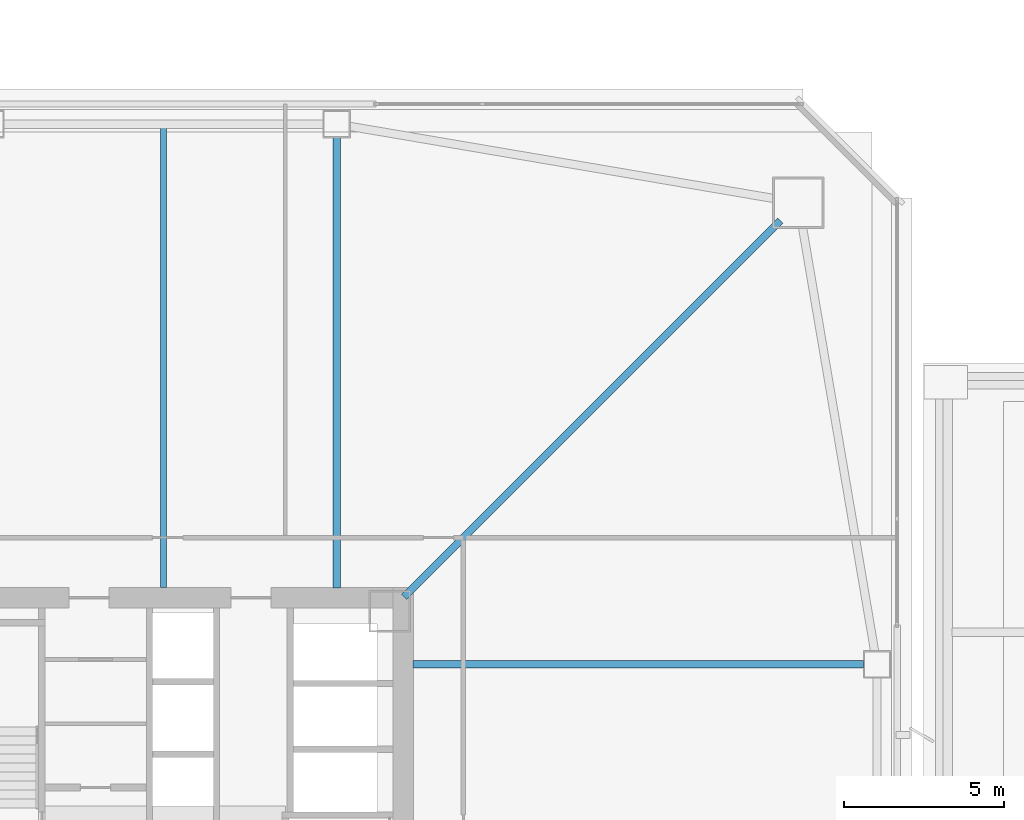
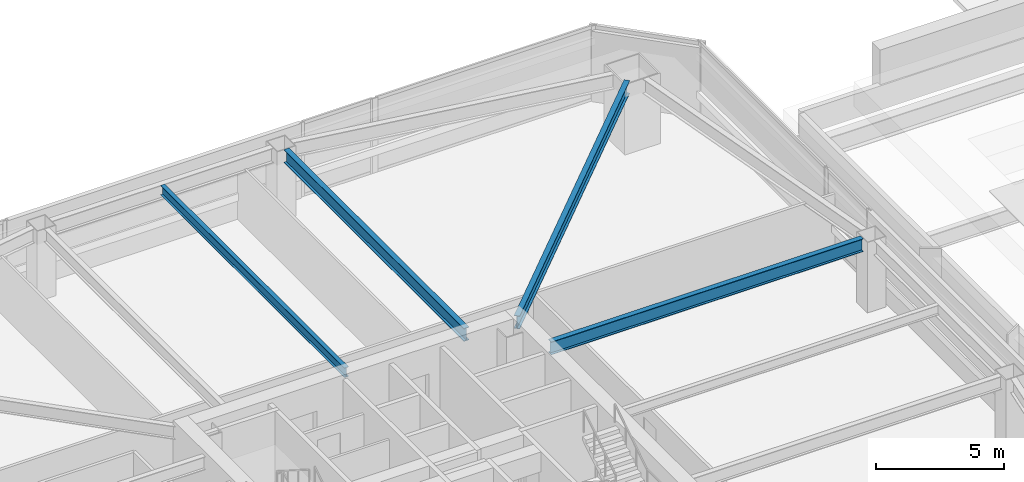
# One storey, part 16 of 62: 4 beams.
"""IFC4 building model written with IfcOpenShell, lengths in metres."""

from ifc_helpers import new_model, si_unit, direction, frame, origin, origin_2d, place, context, subcontext, project, spatial, i_section, extrude, material, material_profile, profile_set, type_object, element, save


model = new_model("IFC4")

# Units and contexts
model_context = context("Model", 3, precision=1e-05, world=origin(), true_north=direction((0.0, 1.0)))
body_context = subcontext(model_context, "Body", "Model", "MODEL_VIEW")
ifc_project = project(units=[si_unit("LENGTHUNIT", "METRE"), si_unit("AREAUNIT", "SQUARE_METRE"), si_unit("VOLUMEUNIT", "CUBIC_METRE"), si_unit("PLANEANGLEUNIT", "RADIAN"), si_unit("MASSUNIT", "GRAM", prefix="KILO")], contexts=[model_context])

# Site, building, storey
site_placement = place(None, origin())
site = spatial("IfcSite", under=ifc_project, at=site_placement, CompositionType="ELEMENT")
building_placement = place(site_placement, origin())
building = spatial("IfcBuilding", under=site, at=building_placement, Name="Tashvorn Skyway Center", CompositionType="ELEMENT")
storey_placement = place(building_placement, frame((0.0, 0.0, 28.14990234375)))
storey = spatial("IfcBuildingStorey", under=building, at=storey_placement, Name="L06", CompositionType="ELEMENT", Elevation=28.14990234375)

# Beams
ifc_material = material(Name="Steel ASTM A992 Grade 50", Category="steel")
ifc_material_profile_1 = material_profile(ifc_material, i_section(OverallWidth=0.22998046875, OverallDepth=0.616943359375, WebThickness=0.01318359375, FlangeThickness=0.022216796875, at=origin_2d()), Name="W24X94")
ifc_profile_set_1 = profile_set([ifc_material_profile_1], Name="Steel ASTM A992 Grade 50")
beam_type_1 = type_object("IfcBeamType", Name="BM-BEAM-W24X94", PredefinedType="BEAM", material=ifc_profile_set_1)
beam_1_placement = place(storey_placement, frame((61.23779296875, 51.23779296875, 3.04150390625), z_axis=(-0.707106781187, -0.707106781187, 0.0), x_axis=(0.707106781187, -0.707106781187, 0.0)))
element("IfcBeam", 1, at=beam_1_placement, inside=storey, type_object=beam_type_1, Name="Tower 1 L06 Primary Floor Girder MC-NE", PredefinedType="BEAM", context=body_context, shape_type="SweptSolid", body=[
    extrude(i_section(OverallWidth=0.22998046875, OverallDepth=0.616943359375, WebThickness=0.01318359375, FlangeThickness=0.022216796875, at=origin_2d()), origin(), (0.0, 0.0, 1.0), 16.591064453125),
])
for number, where, z_axis, x_axis, name in (
    (2, (63.830078125, 37.39990234375, 3.04150390625), (-1.0, 0.0, 0.0), (0.0, -1.0, 0.0), "Tower 1 L06 Primary Floor Girder FC-E2"),
    (3, (47.39990234375, 53.830078125, 3.04150390625), (0.0, -1.0, 0.0), (1.0, 0.0, 0.0), "Tower 1 L06 Primary Floor Girder FC-N1"),
):
    element("IfcBeam", number, at=place(storey_placement, frame(where, z_axis=z_axis, x_axis=x_axis)), inside=storey, type_object=beam_type_1, Name=name, PredefinedType="BEAM", context=body_context, shape_type="SweptSolid", body=[
        extrude(i_section(OverallWidth=0.22998046875, OverallDepth=0.616943359375, WebThickness=0.01318359375, FlangeThickness=0.022216796875, at=origin_2d()), origin(), (0.0, 0.0, 1.0), 14.050048828125),
    ])
ifc_material_profile_2 = material_profile(ifc_material, i_section(OverallWidth=0.19091796875, OverallDepth=0.4599609375, WebThickness=0.010009765625, FlangeThickness=0.01611328125, at=origin_2d()), Name="W18X55")
ifc_profile_set_2 = profile_set([ifc_material_profile_2], Name="Steel ASTM A992 Grade 50")
beam_type_2 = type_object("IfcBeamType", Name="BM-JOIST-W18X55", PredefinedType="JOIST", material=ifc_profile_set_2)
beam_2_placement = place(storey_placement, frame((42.0, 39.7900390625, 3.1201171875), z_axis=(0.0, 1.0, 0.0), x_axis=(-1.0, 0.0, 0.0)))
element("IfcBeam", 4, at=beam_2_placement, inside=storey, type_object=beam_type_2, Name="Tower 1 L06 Secondary Composite Joist JN", PredefinedType="JOIST", context=body_context, shape_type="SweptSolid", body=[
    extrude(i_section(OverallWidth=0.19091796875, OverallDepth=0.4599609375, WebThickness=0.010009765625, FlangeThickness=0.01611328125, at=origin_2d()), origin(), (0.0, 0.0, 1.0), 14.33984375),
])

save(model, "model.ifc")
